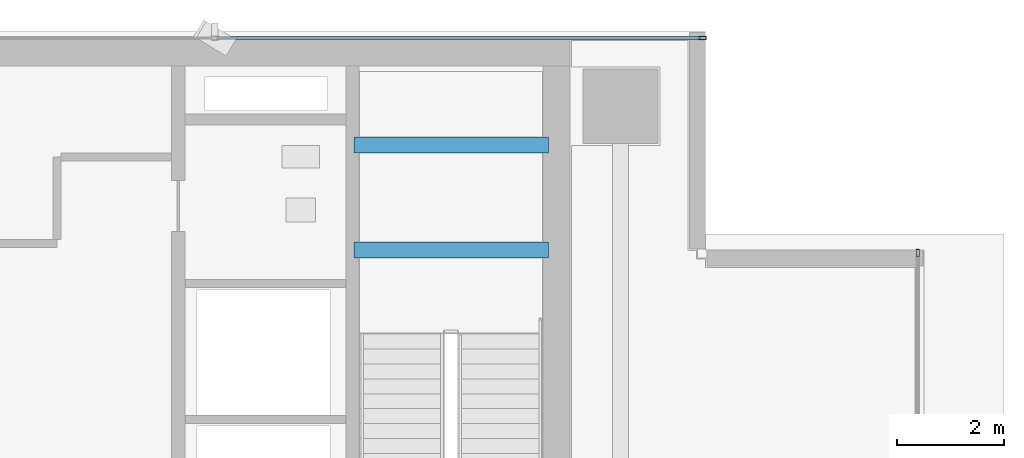
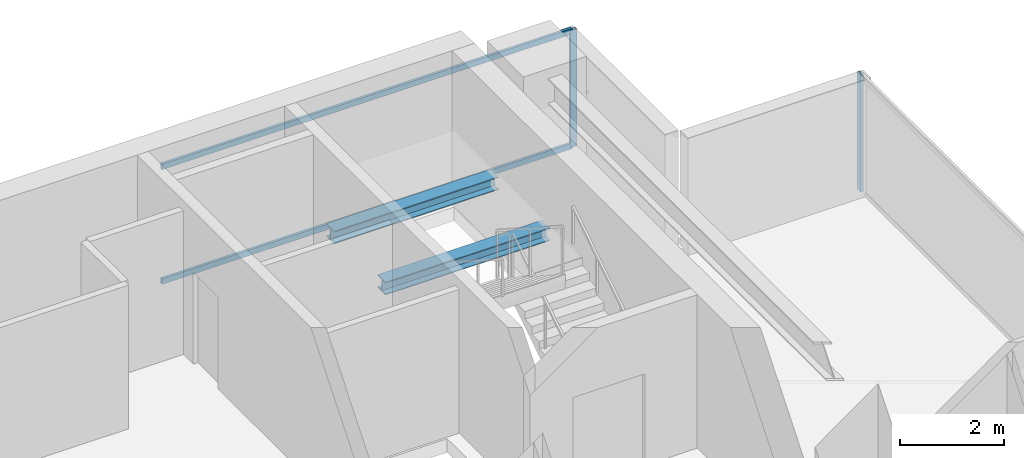
# One storey, part 18 of 27: 4 members, 2 beams, 2 elements without a shape of their own.
"""IFC4 building model written with IfcOpenShell, lengths in metres."""

from ifc_helpers import new_model, si_unit, direction, frame, origin, origin_2d, place, context, subcontext, project, spatial, hollow_rectangle, i_section, extrude, source, transform, mapped, material, layer, layer_set, material_profile, profile_set, type_object, element, aggregate, save


model = new_model("IFC4")

# Units and contexts
model_context = context("Model", 3, precision=1e-05, world=origin(), true_north=direction((0.0, 1.0)))
body_context = subcontext(model_context, "Body", "Model", "MODEL_VIEW")
ifc_project = project(units=[si_unit("LENGTHUNIT", "METRE"), si_unit("AREAUNIT", "SQUARE_METRE"), si_unit("VOLUMEUNIT", "CUBIC_METRE"), si_unit("PLANEANGLEUNIT", "RADIAN"), si_unit("MASSUNIT", "GRAM", prefix="KILO")], contexts=[model_context])

# Site, building, storey
site_placement = place(None, origin())
site = spatial("IfcSite", under=ifc_project, at=site_placement, CompositionType="ELEMENT")
building_placement = place(site_placement, origin())
building = spatial("IfcBuilding", under=site, at=building_placement, Name="Sumidabori Civic Tower", CompositionType="ELEMENT")
storey_placement = place(building_placement, frame((0.0, 0.0, 228.800048828125)))
storey = spatial("IfcBuildingStorey", under=building, at=storey_placement, Name="L59", CompositionType="ELEMENT", Elevation=228.800048828125)

# Beams
ifc_material_1 = material(Name="Steel SN490", Category="steel")
ifc_material_profile_1 = material_profile(ifc_material_1, i_section(OverallWidth=0.300048828125, OverallDepth=0.300048828125, WebThickness=0.010986328125, FlangeThickness=0.01904296875, at=origin_2d()), Name="HE 300 B")
ifc_profile_set_1 = profile_set([ifc_material_profile_1], Name="Steel SN490")
beam_type = type_object("IfcBeamType", Name="BM-LDG-300", PredefinedType="BEAM", material=ifc_profile_set_1)
shared_shape_1 = source(origin(), body_context, "Body", "SweptSolid", [
    extrude(i_section(OverallWidth=0.300048828125, OverallDepth=0.300048828125, WebThickness=0.010986328125, FlangeThickness=0.01904296875, at=origin_2d()), origin(), (0.0, 0.0, 1.0), 3.64990234375),
])
for number, where, z_axis, x_axis, name in (
    (1, (11.800048828125, 20.09765625, 1.449951171875), (1.0, 0.0, 0.0), (0.0, 1.0, 0.0), "Stair ST-2 Landing Support Beam L59-1A"),
    (2, (11.800048828125, 22.069580078125, 1.449951171875), (1.0, 0.0, 0.0), (0.0, 1.0, 0.0), "Stair ST-2 Landing Trimmer Beam L59-1B"),
):
    element("IfcBeam", number, at=place(storey_placement, frame(where, z_axis=z_axis, x_axis=x_axis)), inside=storey, type_object=beam_type, Name=name, PredefinedType="BEAM", context=body_context, shape_type="MappedRepresentation", body=[
        mapped(shared_shape_1, transform((0.0, 0.0, 0.0), x_axis=(1.0, 0.0, 0.0), y_axis=(0.0, 1.0, 0.0), z_axis=(0.0, 0.0, 1.0), scale=1.0)),
    ])

# Curtain wall, members
ifc_material_2 = material(Name="Anodised Bronze Aluminium AW-6063-T6", Category="aluminium")
ifc_layer = layer(ifc_material_2, 0.179931640625, Name="Anodised Bronze Aluminium AW-6063-T6")
ifc_layer_set = layer_set([ifc_layer], Name="Anodised Bronze Aluminium AW-6063-T6")
curtain_wall_type = type_object("IfcCurtainWallType", Name="CW-SYS-5", PredefinedType="NOTDEFINED", material=ifc_layer_set)
curtain_wall_1_placement = place(storey_placement, origin())
curtain_wall_1 = element("IfcCurtainWall", 3, at=curtain_wall_1_placement, inside=storey, type_object=curtain_wall_type, Name="Curtain Wall CW:L59:R08", PredefinedType="NOTDEFINED")
ifc_material_profile_2 = material_profile(ifc_material_2, hollow_rectangle(XDim=0.06005859375, YDim=0.1298828125, WallThickness=0.0048828125, at=origin_2d()), Name="ALU TRANSOM 130x60")
ifc_profile_set_2 = profile_set([ifc_material_profile_2], Name="Anodised Bronze Aluminium AW-6063-T6")
member_type_1 = type_object("IfcMemberType", Name="CW-TRN-130", PredefinedType="USERDEFINED", material=ifc_profile_set_2)
shared_shape_2 = source(origin(), body_context, "Body", "SweptSolid", [
    extrude(hollow_rectangle(XDim=0.06005859375, YDim=0.1298828125, WallThickness=0.0048828125, at=origin_2d()), origin(), (0.0, 0.0, 1.0), 9.094970703125),
])
member_1_placement = place(storey_placement, frame((18.31005859375, 24.080078125, 0.030029296875), z_axis=(-1.0, 0.0, 0.0), x_axis=(0.0, -1.0, 0.0)))
member_1 = element("IfcMember", 4, at=member_1_placement, type_object=member_type_1, Name="CW-5 transom 1.1", ObjectType="TRANSOM", PredefinedType="USERDEFINED", context=body_context, shape_type="MappedRepresentation", body=[
    mapped(shared_shape_2, transform((0.0, 0.0, 0.0), x_axis=(1.0, 0.0, 0.0), y_axis=(0.0, 1.0, 0.0), z_axis=(0.0, 0.0, 1.0), scale=1.0)),
])
member_2_placement = place(storey_placement, frame((18.31005859375, 24.080078125, 2.719970703125), z_axis=(-1.0, 0.0, 0.0), x_axis=(0.0, -1.0, 0.0)))
member_2 = element("IfcMember", 5, at=member_2_placement, type_object=member_type_1, Name="CW-5 transom 1.2", ObjectType="TRANSOM", PredefinedType="USERDEFINED", context=body_context, shape_type="MappedRepresentation", body=[
    mapped(shared_shape_2, transform((0.0, 0.0, 0.0), x_axis=(1.0, 0.0, 0.0), y_axis=(0.0, 1.0, 0.0), z_axis=(0.0, 0.0, 1.0), scale=1.0)),
])

# Curtain wall, member
curtain_wall_2_placement = place(storey_placement, origin())
curtain_wall_2 = element("IfcCurtainWall", 6, at=curtain_wall_2_placement, inside=storey, type_object=curtain_wall_type, Name="Curtain Wall CW:L59:R05", PredefinedType="NOTDEFINED")
ifc_material_profile_3 = material_profile(ifc_material_2, hollow_rectangle(XDim=0.06005859375, YDim=0.139892578125, WallThickness=0.0048828125, at=origin_2d()), Name="ALU MULLION 140x60")
ifc_profile_set_3 = profile_set([ifc_material_profile_3], Name="Anodised Bronze Aluminium AW-6063-T6")
member_type_2 = type_object("IfcMemberType", Name="CW-MUL-140", PredefinedType="MULLION", material=ifc_profile_set_3)
shared_shape_3 = source(origin(), body_context, "Body", "SweptSolid", [
    extrude(hollow_rectangle(XDim=0.06005859375, YDim=0.139892578125, WallThickness=0.0048828125, at=origin_2d()), origin(), (0.0, 0.0, 1.0), 2.75),
])
member_3_placement = place(storey_placement, frame((22.3798828125, 20.0400390625, 0.0), z_axis=(0.0, 0.0, 1.0), x_axis=(-1.0, 0.0, 0.0)))
member_3 = element("IfcMember", 7, at=member_3_placement, type_object=member_type_2, Name="CW-5 mullion 4", PredefinedType="MULLION", context=body_context, shape_type="MappedRepresentation", body=[
    mapped(shared_shape_3, transform((0.0, 0.0, 0.0), x_axis=(1.0, 0.0, 0.0), y_axis=(0.0, 1.0, 0.0), z_axis=(0.0, 0.0, 1.0), scale=1.0)),
])
aggregate(curtain_wall_2, [member_3])

# Member
member_4_placement = place(storey_placement, frame((18.340087890625, 24.080078125, 0.0), z_axis=(0.0, 0.0, 1.0), x_axis=(0.0, -1.0, 0.0)))
member_4 = element("IfcMember", 8, at=member_4_placement, type_object=member_type_2, Name="CW-5 mullion 1", PredefinedType="MULLION", context=body_context, shape_type="MappedRepresentation", body=[
    mapped(shared_shape_3, transform((0.0, 0.0, 0.0), x_axis=(1.0, 0.0, 0.0), y_axis=(0.0, 1.0, 0.0), z_axis=(0.0, 0.0, 1.0), scale=1.0)),
])

aggregate(curtain_wall_1, [member_4, member_1, member_2])

save(model, "model.ifc")
